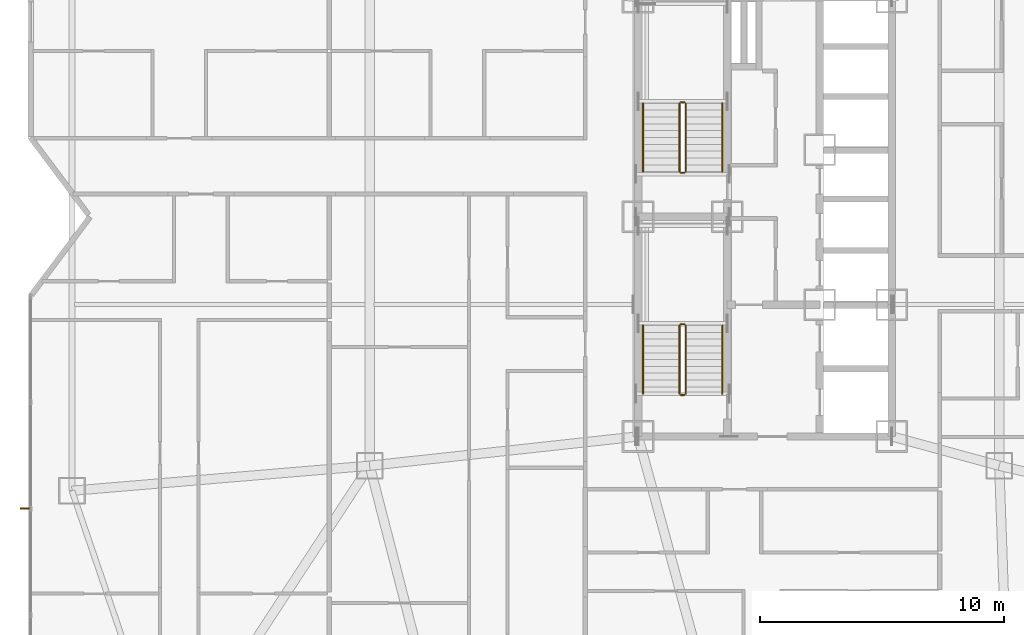
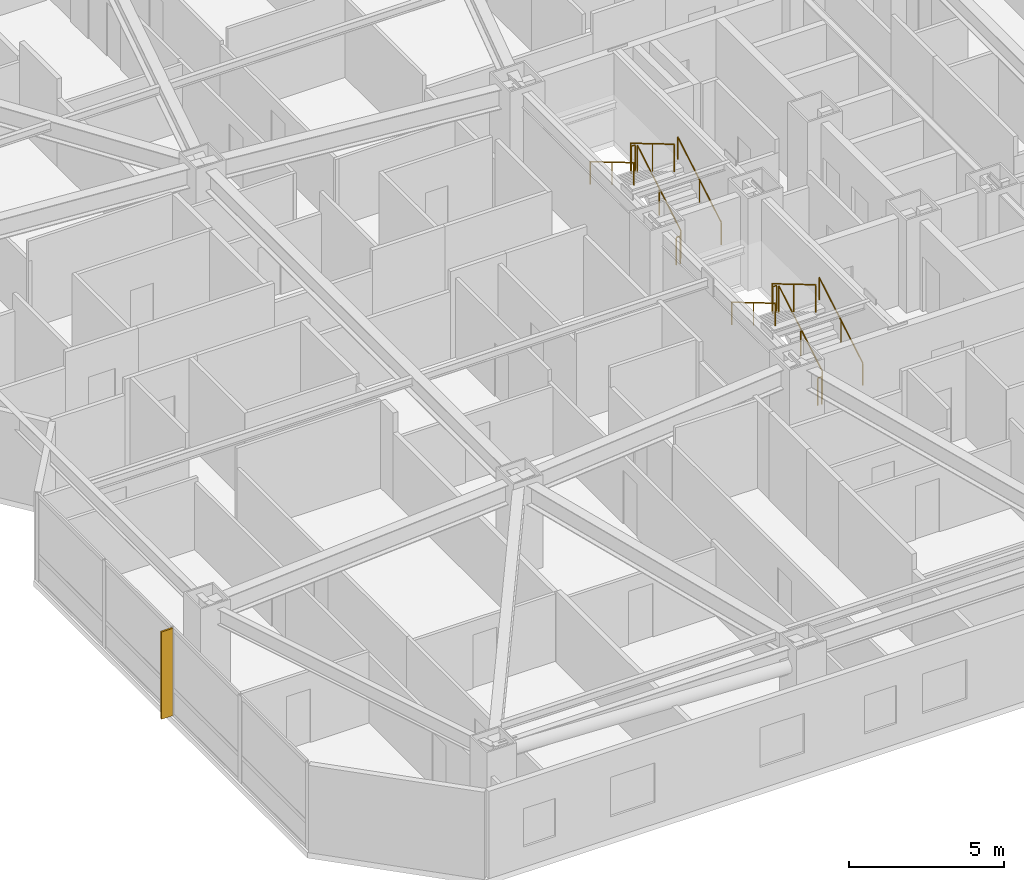
# One storey, part 18 of 18: 12 railings, 1 shading device.
"""IFC4 building model written with IfcOpenShell, lengths in metres."""

from ifc_helpers import new_model, si_unit, direction, frame, origin, origin_2d, place, context, subcontext, project, spatial, rectangle, circle, extrude, material, type_object, element, save


model = new_model("IFC4")

# Units and contexts
model_context = context("Model", 3, precision=1e-05, world=origin(), true_north=direction((0.0, 1.0)))
body_context = subcontext(model_context, "Body", "Model", "MODEL_VIEW")
ifc_project = project(units=[si_unit("LENGTHUNIT", "METRE"), si_unit("AREAUNIT", "SQUARE_METRE"), si_unit("VOLUMEUNIT", "CUBIC_METRE"), si_unit("PLANEANGLEUNIT", "RADIAN"), si_unit("MASSUNIT", "GRAM", prefix="KILO")], contexts=[model_context])

# Site, building, storey
site_placement = place(None, origin())
site = spatial("IfcSite", under=ifc_project, at=site_placement, CompositionType="ELEMENT")
building_placement = place(site_placement, origin())
building = spatial("IfcBuilding", under=site, at=building_placement, Name="Khamvora Tower", CompositionType="ELEMENT")
storey_placement = place(building_placement, frame((0.0, 0.0, 69.800048828125)))
storey = spatial("IfcBuildingStorey", under=building, at=storey_placement, Name="L17", CompositionType="ELEMENT", Elevation=69.800048828125)

# Railings
ifc_material_1 = material(Name="Brushed Stainless Steel 316", Category="steel")
railing_type_1 = type_object("IfcRailingType", Name="RAL-HDR-920", PredefinedType="HANDRAIL", material=ifc_material_1)
railing_1_placement = place(storey_placement, frame((32.449951171875, 20.75, 0.165771484375)))
element("IfcRailing", 1, at=railing_1_placement, inside=storey, type_object=railing_type_1, Name="L17 ST-01 stair handrail 1", PredefinedType="HANDRAIL", context=body_context, shape_type="SweptSolid", body=[
    extrude(circle(Radius=0.02392578125, at=origin_2d()), frame((0.0, 0.0, 0.8759765625), z_axis=(0.0, 0.860306154799, 0.50977771628), x_axis=(-1.0, 0.0, 0.0)), (0.0, 0.0, 1.0), 3.254638671875),
    extrude(circle(Radius=0.02099609375, at=origin_2d()), origin(), (0.0, 0.0, 1.0), 0.851806640625),
    extrude(circle(Radius=0.02099609375, at=origin_2d()), frame((0.0, 1.39990234375, 0.82958984375)), (0.0, 0.0, 1.0), 0.851806640625),
    extrude(circle(Radius=0.02099609375, at=origin_2d()), frame((0.0, 2.800048828125, 1.6591796875)), (0.0, 0.0, 1.0), 0.851806640625),
])
railing_2_placement = place(storey_placement, frame((29.199951171875, 23.550048828125, 1.990966796875)))
element("IfcRailing", 2, at=railing_2_placement, inside=storey, type_object=railing_type_1, Name="L17 ST-01 stair handrail 2", PredefinedType="HANDRAIL", context=body_context, shape_type="SweptSolid", body=[
    extrude(circle(Radius=0.02392578125, at=origin_2d()), frame((0.0, 0.0, 0.8759765625), z_axis=(0.0, -0.860339051648, 0.50972219513), x_axis=(1.0, 0.0, 0.0)), (0.0, 0.0, 1.0), 3.254638671875),
    extrude(circle(Radius=0.02099609375, at=origin_2d()), origin(), (0.0, 0.0, 1.0), 0.851806640625),
    extrude(circle(Radius=0.02099609375, at=origin_2d()), frame((0.0, -1.39990234375, 0.82958984375)), (0.0, 0.0, 1.0), 0.851806640625),
    extrude(circle(Radius=0.02099609375, at=origin_2d()), frame((0.0, -2.800048828125, 1.658935546875)), (0.0, 0.0, 1.0), 0.851806640625),
])
railing_3_placement = place(storey_placement, frame((32.449951171875, 29.85009765625, 0.165771484375)))
element("IfcRailing", 3, at=railing_3_placement, inside=storey, type_object=railing_type_1, Name="L17 ST-02 stair handrail 1", PredefinedType="HANDRAIL", context=body_context, shape_type="SweptSolid", body=[
    extrude(circle(Radius=0.02392578125, at=origin_2d()), frame((0.0, 0.0, 0.8759765625), z_axis=(0.0, 0.860286659441, 0.509810615413), x_axis=(-1.0, 0.0, 0.0)), (0.0, 0.0, 1.0), 3.25439453125),
    extrude(circle(Radius=0.02099609375, at=origin_2d()), origin(), (0.0, 0.0, 1.0), 0.851806640625),
    extrude(circle(Radius=0.02099609375, at=origin_2d()), frame((0.0, 1.39990234375, 0.82958984375)), (0.0, 0.0, 1.0), 0.851806640625),
    extrude(circle(Radius=0.02099609375, at=origin_2d()), frame((0.0, 2.7998046875, 1.6591796875)), (0.0, 0.0, 1.0), 0.851806640625),
])
railing_4_placement = place(storey_placement, frame((29.199951171875, 32.64990234375, 1.990966796875)))
element("IfcRailing", 4, at=railing_4_placement, inside=storey, type_object=railing_type_1, Name="L17 ST-02 stair handrail 2", PredefinedType="HANDRAIL", context=body_context, shape_type="SweptSolid", body=[
    extrude(circle(Radius=0.02392578125, at=origin_2d()), frame((0.0, 0.0, 0.8759765625), z_axis=(0.0, -0.860319559791, 0.509755093197), x_axis=(1.0, 0.0, 0.0)), (0.0, 0.0, 1.0), 3.25439453125),
    extrude(circle(Radius=0.02099609375, at=origin_2d()), origin(), (0.0, 0.0, 1.0), 0.851806640625),
    extrude(circle(Radius=0.02099609375, at=origin_2d()), frame((0.0, -1.39990234375, 0.82958984375)), (0.0, 0.0, 1.0), 0.851806640625),
    extrude(circle(Radius=0.02099609375, at=origin_2d()), frame((0.0, -2.7998046875, 1.658935546875)), (0.0, 0.0, 1.0), 0.851806640625),
])
ifc_material_2 = material(Name="Stainless Steel 316", Category="steel")
railing_type_2 = type_object("IfcRailingType", Name="RAL-STG-1100", PredefinedType="GUARDRAIL", material=ifc_material_2)
railing_5_placement = place(storey_placement, frame((30.949951171875, 20.75, 0.165771484375)))
element("IfcRailing", 5, at=railing_5_placement, inside=storey, type_object=railing_type_2, Name="L17 ST-01 stair guard 1", PredefinedType="GUARDRAIL", context=body_context, shape_type="SweptSolid", body=[
    extrude(circle(Radius=0.02392578125, at=origin_2d()), frame((0.0, 0.0, 1.076171875), z_axis=(0.0, 0.860306154799, 0.50977771628), x_axis=(-1.0, 0.0, 0.0)), (0.0, 0.0, 1.0), 3.254638671875),
    extrude(circle(Radius=0.02099609375, at=origin_2d()), origin(), (0.0, 0.0, 1.0), 1.052001953125),
    extrude(circle(Radius=0.02099609375, at=origin_2d()), frame((0.0, 1.39990234375, 0.82958984375)), (0.0, 0.0, 1.0), 1.052001953125),
    extrude(circle(Radius=0.02099609375, at=origin_2d()), frame((0.0, 2.800048828125, 1.6591796875)), (0.0, 0.0, 1.0), 1.052001953125),
])
railing_6_placement = place(storey_placement, frame((30.89990234375, 23.60009765625, 1.824951171875)))
element("IfcRailing", 6, at=railing_6_placement, inside=storey, type_object=railing_type_2, Name="L17 ST-01 stair guard 2", PredefinedType="GUARDRAIL", context=body_context, shape_type="SweptSolid", body=[
    extrude(circle(Radius=0.02392578125, at=origin_2d()), frame((0.0, 0.0, 1.076171875), z_axis=(-1.0, 0.0, 0.0), x_axis=(0.0, -1.0, 0.0)), (0.0, 0.0, 1.0), 0.14990234375),
    extrude(circle(Radius=0.02099609375, at=origin_2d()), origin(), (0.0, 0.0, 1.0), 1.052001953125),
    extrude(circle(Radius=0.02099609375, at=origin_2d()), frame((-0.14990234375, 0.0, 0.0)), (0.0, 0.0, 1.0), 1.052001953125),
])
railing_7_placement = place(storey_placement, frame((30.699951171875, 23.550048828125, 1.990966796875)))
element("IfcRailing", 7, at=railing_7_placement, inside=storey, type_object=railing_type_2, Name="L17 ST-01 stair guard 3", PredefinedType="GUARDRAIL", context=body_context, shape_type="SweptSolid", body=[
    extrude(circle(Radius=0.02392578125, at=origin_2d()), frame((0.0, 0.0, 1.076171875), z_axis=(0.0, -0.860339051648, 0.50972219513), x_axis=(1.0, 0.0, 0.0)), (0.0, 0.0, 1.0), 3.254638671875),
    extrude(circle(Radius=0.02099609375, at=origin_2d()), origin(), (0.0, 0.0, 1.0), 1.052001953125),
    extrude(circle(Radius=0.02099609375, at=origin_2d()), frame((0.0, -1.39990234375, 0.82958984375)), (0.0, 0.0, 1.0), 1.052001953125),
    extrude(circle(Radius=0.02099609375, at=origin_2d()), frame((0.0, -2.800048828125, 1.658935546875)), (0.0, 0.0, 1.0), 1.052001953125),
])
railing_8_placement = place(storey_placement, frame((30.89990234375, 20.699951171875, 0.0)))
element("IfcRailing", 8, at=railing_8_placement, inside=storey, type_object=railing_type_2, Name="L17 ST-01 stair guard 4", PredefinedType="GUARDRAIL", context=body_context, shape_type="SweptSolid", body=[
    extrude(circle(Radius=0.02392578125, at=origin_2d()), frame((0.0, 0.0, 1.076171875), z_axis=(-1.0, 0.0, 0.0), x_axis=(0.0, -1.0, 0.0)), (0.0, 0.0, 1.0), 0.14990234375),
    extrude(circle(Radius=0.02099609375, at=origin_2d()), origin(), (0.0, 0.0, 1.0), 1.052001953125),
    extrude(circle(Radius=0.02099609375, at=origin_2d()), frame((-0.14990234375, 0.0, 0.0)), (0.0, 0.0, 1.0), 1.052001953125),
])
railing_9_placement = place(storey_placement, frame((30.949951171875, 29.85009765625, 0.165771484375)))
element("IfcRailing", 9, at=railing_9_placement, inside=storey, type_object=railing_type_2, Name="L17 ST-02 stair guard 1", PredefinedType="GUARDRAIL", context=body_context, shape_type="SweptSolid", body=[
    extrude(circle(Radius=0.02392578125, at=origin_2d()), frame((0.0, 0.0, 1.076171875), z_axis=(0.0, 0.860286659441, 0.509810615413), x_axis=(-1.0, 0.0, 0.0)), (0.0, 0.0, 1.0), 3.25439453125),
    extrude(circle(Radius=0.02099609375, at=origin_2d()), origin(), (0.0, 0.0, 1.0), 1.052001953125),
    extrude(circle(Radius=0.02099609375, at=origin_2d()), frame((0.0, 1.39990234375, 0.82958984375)), (0.0, 0.0, 1.0), 1.052001953125),
    extrude(circle(Radius=0.02099609375, at=origin_2d()), frame((0.0, 2.7998046875, 1.6591796875)), (0.0, 0.0, 1.0), 1.052001953125),
])
railing_10_placement = place(storey_placement, frame((30.89990234375, 32.699951171875, 1.824951171875)))
element("IfcRailing", 10, at=railing_10_placement, inside=storey, type_object=railing_type_2, Name="L17 ST-02 stair guard 2", PredefinedType="GUARDRAIL", context=body_context, shape_type="SweptSolid", body=[
    extrude(circle(Radius=0.02392578125, at=origin_2d()), frame((0.0, 0.0, 1.076171875), z_axis=(-1.0, 0.0, 0.0), x_axis=(0.0, -1.0, 0.0)), (0.0, 0.0, 1.0), 0.14990234375),
    extrude(circle(Radius=0.02099609375, at=origin_2d()), origin(), (0.0, 0.0, 1.0), 1.052001953125),
    extrude(circle(Radius=0.02099609375, at=origin_2d()), frame((-0.14990234375, 0.0, 0.0)), (0.0, 0.0, 1.0), 1.052001953125),
])
railing_11_placement = place(storey_placement, frame((30.699951171875, 32.64990234375, 1.990966796875)))
element("IfcRailing", 11, at=railing_11_placement, inside=storey, type_object=railing_type_2, Name="L17 ST-02 stair guard 3", PredefinedType="GUARDRAIL", context=body_context, shape_type="SweptSolid", body=[
    extrude(circle(Radius=0.02392578125, at=origin_2d()), frame((0.0, 0.0, 1.076171875), z_axis=(0.0, -0.860319559791, 0.509755093197), x_axis=(1.0, 0.0, 0.0)), (0.0, 0.0, 1.0), 3.25439453125),
    extrude(circle(Radius=0.02099609375, at=origin_2d()), origin(), (0.0, 0.0, 1.0), 1.052001953125),
    extrude(circle(Radius=0.02099609375, at=origin_2d()), frame((0.0, -1.39990234375, 0.82958984375)), (0.0, 0.0, 1.0), 1.052001953125),
    extrude(circle(Radius=0.02099609375, at=origin_2d()), frame((0.0, -2.7998046875, 1.658935546875)), (0.0, 0.0, 1.0), 1.052001953125),
])
railing_12_placement = place(storey_placement, frame((30.89990234375, 29.800048828125, 0.0)))
element("IfcRailing", 12, at=railing_12_placement, inside=storey, type_object=railing_type_2, Name="L17 ST-02 stair guard 4", PredefinedType="GUARDRAIL", context=body_context, shape_type="SweptSolid", body=[
    extrude(circle(Radius=0.02392578125, at=origin_2d()), frame((0.0, 0.0, 1.076171875), z_axis=(-1.0, 0.0, 0.0), x_axis=(0.0, -1.0, 0.0)), (0.0, 0.0, 1.0), 0.14990234375),
    extrude(circle(Radius=0.02099609375, at=origin_2d()), origin(), (0.0, 0.0, 1.0), 1.052001953125),
    extrude(circle(Radius=0.02099609375, at=origin_2d()), frame((-0.14990234375, 0.0, 0.0)), (0.0, 0.0, 1.0), 1.052001953125),
])

# Shading device
ifc_material_3 = material(Name="Anodised Bronze Aluminium 6063-T6", Category="aluminium")
shading_device_type = type_object("IfcShadingDeviceType", Name="SHD-FIN-420", PredefinedType="USERDEFINED", material=ifc_material_3)
shading_device_placement = place(storey_placement, frame((3.8798828125, 16.0400390625, 0.0), z_axis=(0.0, 0.0, 1.0), x_axis=(0.0, 1.0, 0.0)))
element("IfcShadingDevice", 13, at=shading_device_placement, inside=storey, type_object=shading_device_type, Name="L17 anodised bronze solar fin 02.01", ObjectType="FIN", PredefinedType="USERDEFINED", context=body_context, shape_type="SweptSolid", body=[
    extrude(rectangle(XDim=0.06005859375, YDim=0.419921875, at=origin_2d()), origin(), (0.0, 0.0, 1.0), 3.429931640625),
])

save(model, "model.ifc")
